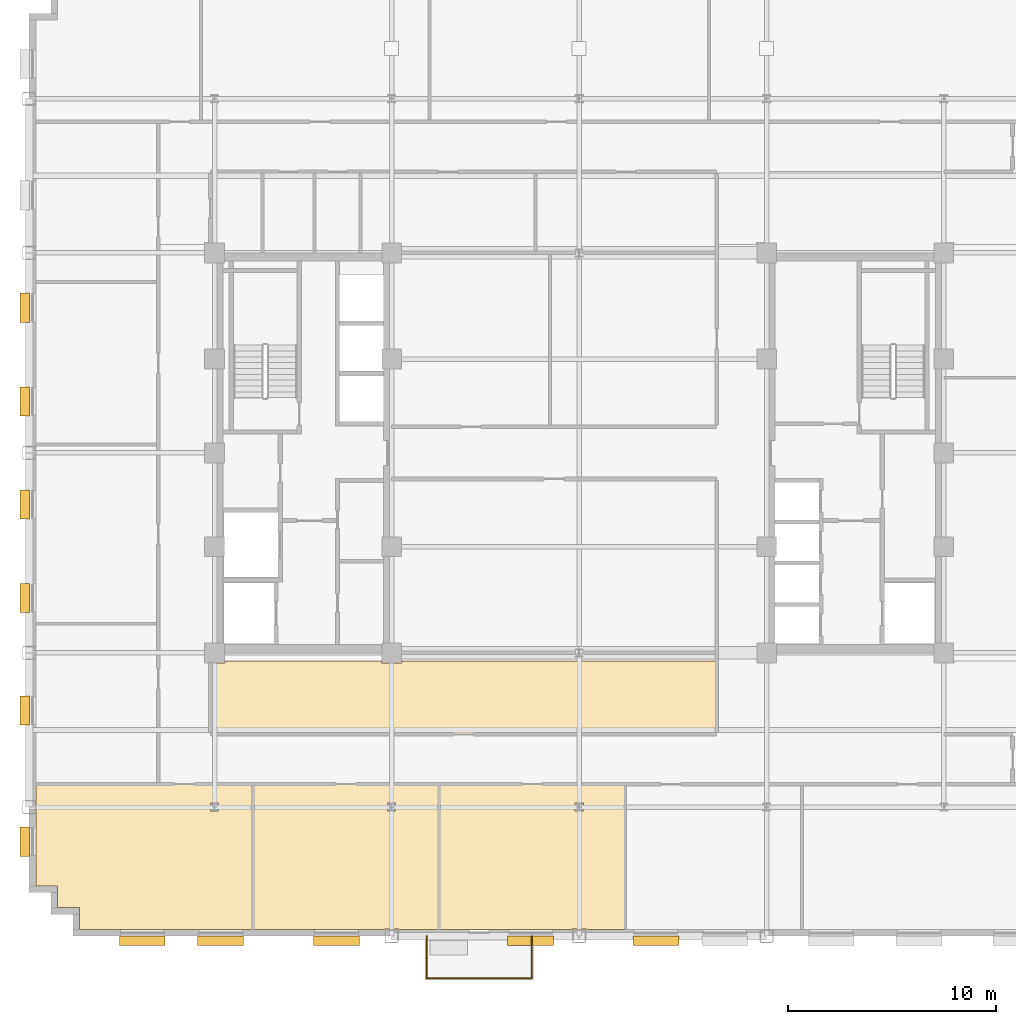
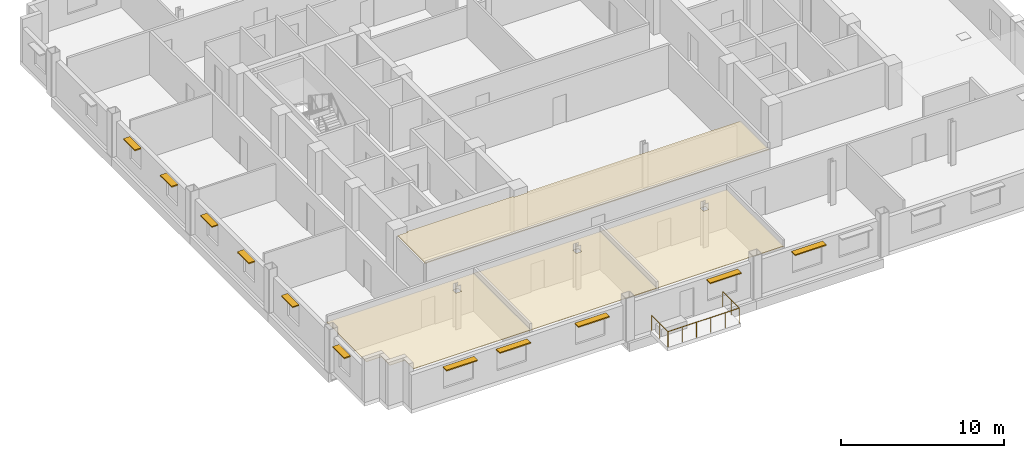
# One storey, part 11 of 14: 11 shading devices, 4 coverings, 1 railing.
"""IFC4 building model written with IfcOpenShell, lengths in metres."""

from ifc_helpers import new_model, si_unit, direction, frame, origin, origin_2d, place, context, subcontext, project, spatial, polyline, rectangle, circle, outline, extrude, source, transform, mapped, material, layer, layer_set, type_object, type_shapes, element, save


model = new_model("IFC4")

# Units and contexts
model_context = context("Model", 3, precision=1e-05, world=origin(), true_north=direction((0.0, 1.0)))
body_context = subcontext(model_context, "Body", "Model", "MODEL_VIEW")
ifc_project = project(units=[si_unit("LENGTHUNIT", "METRE"), si_unit("AREAUNIT", "SQUARE_METRE"), si_unit("VOLUMEUNIT", "CUBIC_METRE"), si_unit("PLANEANGLEUNIT", "RADIAN"), si_unit("MASSUNIT", "GRAM", prefix="KILO")], contexts=[model_context])

# Site, building, storey
site_placement = place(None, origin())
site = spatial("IfcSite", under=ifc_project, at=site_placement, CompositionType="ELEMENT")
building_placement = place(site_placement, origin())
building = spatial("IfcBuilding", under=site, at=building_placement, Name="Nuvemarco Arch Tower", CompositionType="ELEMENT")
storey_placement = place(building_placement, frame((0.0, 0.0, 164.0)))
storey = spatial("IfcBuildingStorey", under=building, at=storey_placement, Name="L43", CompositionType="ELEMENT", Elevation=164.0)

# Coverings
ifc_material_1 = material(Name="Mineral acoustic ceiling tile")
ifc_layer = layer(ifc_material_1, 0.0400390625, Name="COV-ACOUSTIC-CLG")
ifc_layer_set = layer_set([ifc_layer], Name="Mineral acoustic ceiling tile")
covering_type = type_object("IfcCoveringType", Name="COV-ACOUSTIC-CLG", PredefinedType="CEILING", material=ifc_layer_set)
covering_1_placement = place(storey_placement, frame((0.0, 0.0, 2.72998046875)))
element("IfcCovering", 1, at=covering_1_placement, inside=storey, type_object=covering_type, Name="L43 suspended acoustic ceiling 4", PredefinedType="CEILING", context=body_context, shape_type="SweptSolid", body=[
    extrude(outline(polyline([(-9.489990234375, -10.090087890625), (-8.510009765625, -10.090087890625), (-8.510009765625, -10.0), (6.60009765625, -10.0), (6.60009765625, -13.5), (-17.699951171875, -13.5), (-17.699951171875, -10.090087890625), (-17.010009765625, -10.090087890625), (-17.010009765625, -10.0), (-9.489990234375, -10.0), (-9.489990234375, -10.090087890625)])), origin(), (0.0, 0.0, 1.0), 0.0400390625),
])
covering_2_placement = place(storey_placement, frame((0.0, 0.0, 2.72998046875)))
element("IfcCovering", 2, at=covering_2_placement, inside=storey, type_object=covering_type, Name="L43 suspended acoustic ceiling 7", PredefinedType="CEILING", context=body_context, shape_type="SweptSolid", body=[
    extrude(outline(polyline([(-26.080078125, -20.780029296875), (-26.080078125, -17.340087890625), (-26.06005859375, -17.340087890625), (-26.06005859375, -16.659912109375), (-26.080078125, -16.659912109375), (-26.080078125, -15.89990234375), (-20.199951171875, -15.89990234375), (-17.699951171875, -15.89990234375), (-15.669921875, -15.89990234375), (-15.669921875, -22.8798828125), (-23.97998046875, -22.8798828125), (-23.97998046875, -21.830078125), (-25.030029296875, -21.830078125), (-25.030029296875, -20.780029296875), (-26.080078125, -20.780029296875)]), holes=[polyline([(-17.304931640625, -16.804931640625), (-17.695068359375, -16.804931640625), (-17.695068359375, -17.195068359375), (-17.304931640625, -17.195068359375), (-17.304931640625, -16.804931640625)])]), origin(), (0.0, 0.0, 1.0), 0.0400390625),
])
covering_3_placement = place(storey_placement, frame((0.0, 0.0, 2.72998046875)))
element("IfcCovering", 3, at=covering_3_placement, inside=storey, type_object=covering_type, Name="L43 suspended acoustic ceiling 8", PredefinedType="CEILING", context=body_context, shape_type="SweptSolid", body=[
    extrude(outline(polyline([(-8.659912109375, -22.8798828125), (-8.659912109375, -22.860107421875), (-9.340087890625, -22.860107421875), (-9.340087890625, -22.8798828125), (-15.669921875, -22.8798828125), (-15.669921875, -15.89990234375), (-6.72998046875, -15.89990234375), (-6.72998046875, -22.8798828125), (-8.659912109375, -22.8798828125)]), holes=[polyline([(-8.804931640625, -17.195068359375), (-8.804931640625, -16.804931640625), (-9.195068359375, -16.804931640625), (-9.195068359375, -17.195068359375), (-8.804931640625, -17.195068359375)])]), origin(), (0.0, 0.0, 1.0), 0.0400390625),
])
covering_4_placement = place(storey_placement, frame((0.0, 0.0, 2.72998046875)))
element("IfcCovering", 4, at=covering_4_placement, inside=storey, type_object=covering_type, Name="L43 suspended acoustic ceiling 9", PredefinedType="CEILING", context=body_context, shape_type="SweptSolid", body=[
    extrude(outline(polyline([(0.340087890625, -22.8798828125), (0.340087890625, -22.860107421875), (-0.340087890625, -22.860107421875), (-0.340087890625, -22.8798828125), (-6.72998046875, -22.8798828125), (-6.72998046875, -15.89990234375), (2.2099609375, -15.89990234375), (2.2099609375, -22.8798828125), (0.340087890625, -22.8798828125)]), holes=[polyline([(0.195068359375, -17.195068359375), (0.195068359375, -16.804931640625), (-0.195068359375, -16.804931640625), (-0.195068359375, -17.195068359375), (0.195068359375, -17.195068359375)])]), origin(), (0.0, 0.0, 1.0), 0.0400390625),
])

# Railing
ifc_material_2 = material(Name="Dark anodised balustrade steel S355", Category="steel")
railing_type = type_object("IfcRailingType", Name="RL-TERR-GUARD", PredefinedType="BALUSTRADE", material=ifc_material_2)
railing_placement = place(storey_placement, frame((-7.320068359375, -23.199951171875, 0.0)))
element("IfcRailing", 5, at=railing_placement, inside=storey, type_object=railing_type, Name="L43 tree balcony perimeter balustrade guard", PredefinedType="BALUSTRADE", context=body_context, shape_type="SweptSolid", body=[
    extrude(circle(Radius=0.02392578125, at=origin_2d()), frame((0.0, 0.0, 1.1259765625), z_axis=(0.0, -1.0, 0.0), x_axis=(1.0, 0.0, 0.0)), (0.0, 0.0, 1.0), 2.02001953125),
    extrude(circle(Radius=0.02392578125, at=origin_2d()), frame((0.0, -2.02001953125, 1.1259765625), z_axis=(1.0, 0.0, 0.0), x_axis=(0.0, 1.0, 0.0)), (0.0, 0.0, 1.0), 5.0400390625),
    extrude(circle(Radius=0.02392578125, at=origin_2d()), frame((5.0400390625, -2.02001953125, 1.1259765625), z_axis=(0.0, 1.0, 0.0), x_axis=(-1.0, 0.0, 0.0)), (0.0, 0.0, 1.0), 2.02001953125),
    extrude(circle(Radius=0.02099609375, at=origin_2d()), origin(), (0.0, 0.0, 1.0), 1.101806640625),
    extrude(circle(Radius=0.02099609375, at=origin_2d()), frame((0.0, -1.010009765625, 0.0)), (0.0, 0.0, 1.0), 1.101806640625),
    extrude(circle(Radius=0.02099609375, at=origin_2d()), frame((0.0, -2.02001953125, 0.0)), (0.0, 0.0, 1.0), 1.101806640625),
    extrude(circle(Radius=0.02099609375, at=origin_2d()), frame((1.008056640625, -2.02001953125, 0.0)), (0.0, 0.0, 1.0), 1.101806640625),
    extrude(circle(Radius=0.02099609375, at=origin_2d()), frame((2.01611328125, -2.02001953125, 0.0)), (0.0, 0.0, 1.0), 1.101806640625),
    extrude(circle(Radius=0.02099609375, at=origin_2d()), frame((3.02392578125, -2.02001953125, 0.0)), (0.0, 0.0, 1.0), 1.101806640625),
    extrude(circle(Radius=0.02099609375, at=origin_2d()), frame((4.031982421875, -2.02001953125, 0.0)), (0.0, 0.0, 1.0), 1.101806640625),
    extrude(circle(Radius=0.02099609375, at=origin_2d()), frame((5.0400390625, -2.02001953125, 0.0)), (0.0, 0.0, 1.0), 1.101806640625),
    extrude(circle(Radius=0.02099609375, at=origin_2d()), frame((5.0400390625, -1.010009765625, 0.0)), (0.0, 0.0, 1.0), 1.101806640625),
    extrude(circle(Radius=0.02099609375, at=origin_2d()), frame((5.0400390625, 0.0, 0.0)), (0.0, 0.0, 1.0), 1.101806640625),
])

# Shading devices
ifc_material_3 = material(Name="Anodised aluminium 6063-T6", Category="aluminium")
shading_device_type_1 = type_object("IfcShadingDeviceType", Name="SHD-BRISE-SOLEIL", PredefinedType="USERDEFINED", material=ifc_material_3)
shared_shape_1 = source(origin(), body_context, "Body", "SweptSolid", [
    extrude(rectangle(XDim=2.199951171875, YDim=0.449951171875, at=origin_2d()), origin(), (0.0, 0.0, 1.0), 0.080078125),
])
type_shapes(shading_device_type_1, [shared_shape_1])
for number, where, z_axis, x_axis, name in (
    (6, (-20.969970703125, -23.4150390625, 2.364990234375), (0.0, 0.0, 1.0), (1.0, 0.0, 0.0), "L43 horizontal brise-soleil sunshade"),
    (7, (-17.2099609375, -23.4150390625, 2.364990234375), (0.0, 0.0, 1.0), (1.0, 0.0, 0.0), "L43 horizontal brise-soleil sunshade"),
    (8, (-11.64990234375, -23.4150390625, 2.364990234375), (0.0, 0.0, 1.0), (1.0, 0.0, 0.0), "L43 horizontal brise-soleil sunshade"),
    (9, (-2.330078125, -23.4150390625, 2.364990234375), (0.0, 0.0, 1.0), (1.0, 0.0, 0.0), "L43 horizontal brise-soleil sunshade"),
    (10, (3.679931640625, -23.4150390625, 2.364990234375), (0.0, 0.0, 1.0), (1.0, 0.0, 0.0), "L43 horizontal brise-soleil sunshade"),
):
    element("IfcShadingDevice", number, at=place(storey_placement, frame(where, z_axis=z_axis, x_axis=x_axis)), inside=storey, type_object=shading_device_type_1, Name=name, ObjectType="SUNSHADE", PredefinedType="USERDEFINED", context=body_context, shape_type="MappedRepresentation", body=[
        mapped(shared_shape_1, transform((0.0, 0.0, 0.0), scale=1.0)),
    ])
shading_device_type_2 = type_object("IfcShadingDeviceType", Name="SHD-BRISE-NARROW", PredefinedType="USERDEFINED", material=ifc_material_3)
shared_shape_2 = source(origin(), body_context, "Body", "SweptSolid", [
    extrude(rectangle(XDim=1.39990234375, YDim=0.449951171875, at=origin_2d()), origin(), (0.0, 0.0, 1.0), 0.080078125),
])
type_shapes(shading_device_type_2, [shared_shape_2])
for number, where, z_axis, x_axis, name in (
    (11, (-26.614990234375, -18.660888671875, 2.364990234375), (0.0, 0.0, 1.0), (0.0, 1.0, 0.0), "L43 horizontal brise-soleil sunshade"),
    (12, (-26.614990234375, -12.364990234375, 2.364990234375), (0.0, 0.0, 1.0), (0.0, 1.0, 0.0), "L43 horizontal brise-soleil sunshade"),
    (13, (-26.614990234375, -6.968994140625, 2.364990234375), (0.0, 0.0, 1.0), (0.0, 1.0, 0.0), "L43 horizontal brise-soleil sunshade"),
    (14, (-26.614990234375, -2.472900390625, 2.364990234375), (0.0, 0.0, 1.0), (0.0, 1.0, 0.0), "L43 horizontal brise-soleil sunshade"),
    (15, (-26.614990234375, 2.472900390625, 2.364990234375), (0.0, 0.0, 1.0), (0.0, 1.0, 0.0), "L43 horizontal brise-soleil sunshade"),
    (16, (-26.614990234375, 6.968994140625, 2.364990234375), (0.0, 0.0, 1.0), (0.0, 1.0, 0.0), "L43 horizontal brise-soleil sunshade"),
):
    element("IfcShadingDevice", number, at=place(storey_placement, frame(where, z_axis=z_axis, x_axis=x_axis)), inside=storey, type_object=shading_device_type_2, Name=name, ObjectType="SUNSHADE", PredefinedType="USERDEFINED", context=body_context, shape_type="MappedRepresentation", body=[
        mapped(shared_shape_2, transform((0.0, 0.0, 0.0), scale=1.0)),
    ])

save(model, "model.ifc")
